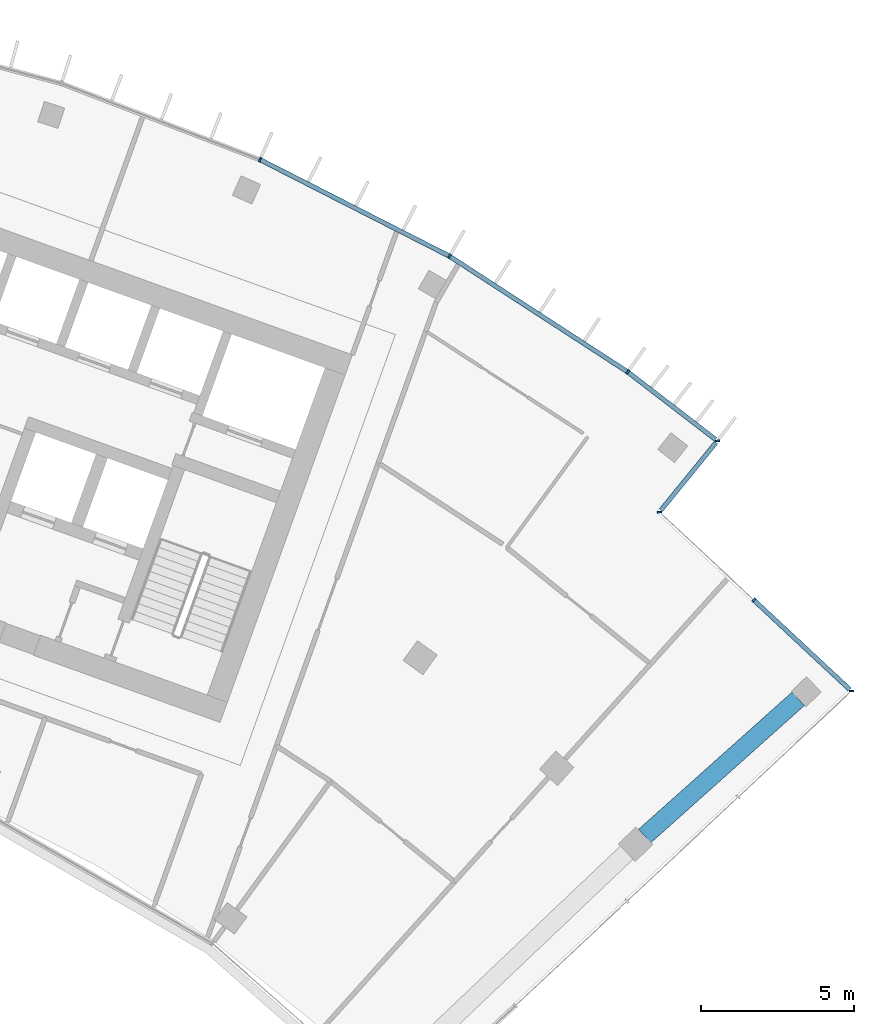
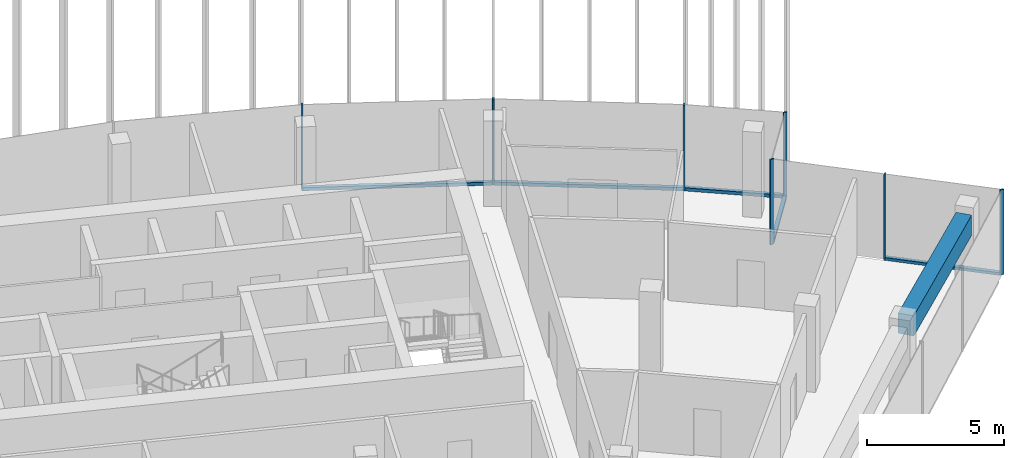
# One storey, part 9 of 18: 12 members, 1 beam, 3 elements without a shape of their own.
"""IFC4 building model written with IfcOpenShell, lengths in metres."""

from ifc_helpers import new_model, si_unit, direction, frame, origin, origin_2d, place, context, subcontext, project, spatial, rectangle, extrude, material, layer, layer_set, material_profile, profile_set, type_object, element, aggregate, save


model = new_model("IFC4")

# Units and contexts
model_context = context("Model", 3, precision=1e-05, world=origin(), true_north=direction((0.0, 1.0)))
body_context = subcontext(model_context, "Body", "Model", "MODEL_VIEW")
ifc_project = project(units=[si_unit("LENGTHUNIT", "METRE"), si_unit("AREAUNIT", "SQUARE_METRE"), si_unit("VOLUMEUNIT", "CUBIC_METRE"), si_unit("PLANEANGLEUNIT", "RADIAN"), si_unit("MASSUNIT", "GRAM", prefix="KILO")], contexts=[model_context])

# Site, building, storey
site_placement = place(None, origin())
site = spatial("IfcSite", under=ifc_project, at=site_placement, CompositionType="ELEMENT")
building_placement = place(site_placement, origin())
building = spatial("IfcBuilding", under=site, at=building_placement, Name="Stone Belt Terrace Tower", CompositionType="ELEMENT")
storey_placement = place(building_placement, frame((0.0, 0.0, 269.39990234375)))
storey = spatial("IfcBuildingStorey", under=building, at=storey_placement, Name="L65", CompositionType="ELEMENT", Elevation=269.39990234375)

# Curtain wall, members
ifc_material_1 = material(Name="Aluminium 6063-T6 anodised frame", Category="aluminium")
ifc_layer_1 = layer(ifc_material_1, 0.14990234375)
ifc_layer_set_1 = layer_set([ifc_layer_1], Name="CW-A unitised convex-face curtain wall")
curtain_wall_type_1 = type_object("IfcCurtainWallType", Name="CW-A unitised convex-face curtain wall", PredefinedType="NOTDEFINED", material=ifc_layer_set_1)
curtain_wall_1_placement = place(storey_placement, origin())
curtain_wall_1 = element("IfcCurtainWall", 1, at=curtain_wall_1_placement, inside=storey, type_object=curtain_wall_type_1, Name="CW-A convex face L65", PredefinedType="NOTDEFINED")
ifc_material_profile_1 = material_profile(ifc_material_1, rectangle(XDim=0.14990234375, YDim=0.06005859375, at=origin_2d()), Name="Aluminium 6063-T6 60x150")
ifc_profile_set_1 = profile_set([ifc_material_profile_1], Name="Aluminium 6063-T6 anodised frame")
member_type_1 = type_object("IfcMemberType", Name="CW-A mullion 60 x 150", PredefinedType="MULLION", material=ifc_profile_set_1)
member_1_placement = place(storey_placement, frame((42.068359375, 51.60205078125, 0.0), z_axis=(0.0, 0.0, 1.0), x_axis=(-0.993258004644, -0.115924700604, 0.0)))
member_1 = element("IfcMember", 2, at=member_1_placement, type_object=member_type_1, Name="CW-A mullion 1", PredefinedType="MULLION", context=body_context, shape_type="SweptSolid", body=[
    extrude(rectangle(XDim=0.14990234375, YDim=0.06005859375, at=origin_2d()), origin(), (0.0, 0.0, 1.0), 3.800048828125),
])
member_2_placement = place(storey_placement, frame((39.131103515625, 53.86083984375, 0.0), z_axis=(0.0, 0.0, 1.0), x_axis=(-0.577587125789, -0.816329046477, 0.0)))
member_2 = element("IfcMember", 3, at=member_2_placement, type_object=member_type_1, Name="CW-A mullion 2", PredefinedType="MULLION", context=body_context, shape_type="SweptSolid", body=[
    extrude(rectangle(XDim=0.14990234375, YDim=0.06005859375, at=origin_2d()), origin(), (0.0, 0.0, 1.0), 3.800048828125),
])
member_3_placement = place(storey_placement, frame((33.28759765625, 57.65576171875, 0.0), z_axis=(0.0, 0.0, 1.0), x_axis=(-0.5, -0.866025403784, 0.0)))
member_3 = element("IfcMember", 4, at=member_3_placement, type_object=member_type_1, Name="CW-A mullion 3", PredefinedType="MULLION", context=body_context, shape_type="SweptSolid", body=[
    extrude(rectangle(XDim=0.14990234375, YDim=0.06005859375, at=origin_2d()), origin(), (0.0, 0.0, 1.0), 3.800048828125),
])
member_4_placement = place(storey_placement, frame((27.07861328125, 60.8193359375, 0.0), z_axis=(0.0, 0.0, 1.0), x_axis=(-0.406736643076, -0.913545457643, 0.0)))
member_4 = element("IfcMember", 5, at=member_4_placement, type_object=member_type_1, Name="CW-A mullion 4", PredefinedType="MULLION", context=body_context, shape_type="SweptSolid", body=[
    extrude(rectangle(XDim=0.14990234375, YDim=0.06005859375, at=origin_2d()), origin(), (0.0, 0.0, 1.0), 3.800048828125),
])
ifc_material_profile_2 = material_profile(ifc_material_1, rectangle(XDim=0.14990234375, YDim=0.139892578125, at=origin_2d()), Name="Aluminium 6063-T6 150x140")
ifc_profile_set_2 = profile_set([ifc_material_profile_2], Name="Aluminium 6063-T6 anodised frame")
member_type_2 = type_object("IfcMemberType", Name="CW-A transom 140 x 150", PredefinedType="USERDEFINED", material=ifc_profile_set_2)
member_5_placement = place(storey_placement, frame((42.00927734375, 51.6474609375, 0.070068359375), z_axis=(-0.79269461464, 0.609618936648, 0.0), x_axis=(-0.609618936648, -0.79269461464, 0.0)))
member_5 = element("IfcMember", 6, at=member_5_placement, type_object=member_type_2, Name="CW-A transom 1.1", ObjectType="TRANSOM", PredefinedType="USERDEFINED", context=body_context, shape_type="SweptSolid", body=[
    extrude(rectangle(XDim=0.14990234375, YDim=0.139892578125, at=origin_2d()), origin(), (0.0, 0.0, 1.0), 3.597900390625),
])
member_6_placement = place(storey_placement, frame((39.103515625, 53.87890625, 0.070068359375), z_axis=(-0.83868440714, 0.544617723931, 0.0), x_axis=(-0.544617723931, -0.83868440714, 0.0)))
member_6 = element("IfcMember", 7, at=member_6_placement, type_object=member_type_2, Name="CW-A transom 2.1", ObjectType="TRANSOM", PredefinedType="USERDEFINED", context=body_context, shape_type="SweptSolid", body=[
    extrude(rectangle(XDim=0.14990234375, YDim=0.139892578125, at=origin_2d()), origin(), (0.0, 0.0, 1.0), 6.90087890625),
])
member_7_placement = place(storey_placement, frame((33.25732421875, 57.671142578125, 0.070068359375), z_axis=(-0.891012226264, 0.453979308613, 0.0), x_axis=(-0.453979308613, -0.891012226264, 0.0)))
member_7 = element("IfcMember", 8, at=member_7_placement, type_object=member_type_2, Name="CW-A transom 3.1", ObjectType="TRANSOM", PredefinedType="USERDEFINED", context=body_context, shape_type="SweptSolid", body=[
    extrude(rectangle(XDim=0.14990234375, YDim=0.139892578125, at=origin_2d()), origin(), (0.0, 0.0, 1.0), 6.90087890625),
])
aggregate(curtain_wall_1, [member_1, member_2, member_3, member_4, member_5, member_6, member_7])

ifc_layer_2 = layer(ifc_material_1, 0.14990234375)
ifc_layer_set_2 = layer_set([ifc_layer_2], Name="CW-C stick curtain wall, horn ends and notches")
curtain_wall_type_2 = type_object("IfcCurtainWallType", Name="CW-C stick curtain wall, horn ends and notches", PredefinedType="NOTDEFINED", material=ifc_layer_set_2)
curtain_wall_2_placement = place(storey_placement, origin())
curtain_wall_2 = element("IfcCurtainWall", 9, at=curtain_wall_2_placement, inside=storey, type_object=curtain_wall_type_2, Name="CW-C notch face L65", PredefinedType="NOTDEFINED")
ifc_material_profile_3 = material_profile(ifc_material_1, rectangle(XDim=0.14990234375, YDim=0.06005859375, at=origin_2d()), Name="Aluminium 6063-T6 60x150")
ifc_profile_set_3 = profile_set([ifc_material_profile_3], Name="Aluminium 6063-T6 anodised frame")
member_type_3 = type_object("IfcMemberType", Name="CW-C mullion 60 x 150", PredefinedType="MULLION", material=ifc_profile_set_3)
member_8_placement = place(storey_placement, frame((46.458740234375, 43.405517578125, 0.0), z_axis=(0.0, 0.0, 1.0), x_axis=(-0.999999447771, -0.00105093149, 0.0)))
member_8 = element("IfcMember", 10, at=member_8_placement, type_object=member_type_3, Name="CW-C mullion 1", PredefinedType="MULLION", context=body_context, shape_type="SweptSolid", body=[
    extrude(rectangle(XDim=0.14990234375, YDim=0.06005859375, at=origin_2d()), origin(), (0.0, 0.0, 1.0), 3.800048828125),
])
member_9_placement = place(storey_placement, frame((43.260009765625, 46.388671875, 0.0), z_axis=(0.0, 0.0, 1.0), x_axis=(-0.682013767261, -0.731339333871, 0.0)))
member_9 = element("IfcMember", 11, at=member_9_placement, type_object=member_type_3, Name="CW-C mullion 2", PredefinedType="MULLION", context=body_context, shape_type="SweptSolid", body=[
    extrude(rectangle(XDim=0.14990234375, YDim=0.06005859375, at=origin_2d()), origin(), (0.0, 0.0, 1.0), 3.800048828125),
])

# Curtain wall, member
curtain_wall_3_placement = place(storey_placement, origin())
curtain_wall_3 = element("IfcCurtainWall", 12, at=curtain_wall_3_placement, inside=storey, type_object=curtain_wall_type_2, Name="CW-C notch face L65", PredefinedType="NOTDEFINED")
member_10_placement = place(storey_placement, frame((40.1708984375, 49.269287109375, 0.0), z_axis=(0.0, 0.0, 1.0), x_axis=(-0.997639702696, -0.068666029474, 0.0)))
member_10 = element("IfcMember", 13, at=member_10_placement, type_object=member_type_3, Name="CW-C mullion 1", PredefinedType="MULLION", context=body_context, shape_type="SweptSolid", body=[
    extrude(rectangle(XDim=0.14990234375, YDim=0.06005859375, at=origin_2d()), origin(), (0.0, 0.0, 1.0), 3.800048828125),
])

# Member
ifc_material_profile_4 = material_profile(ifc_material_1, rectangle(XDim=0.14990234375, YDim=0.1201171875, at=origin_2d()), Name="Aluminium 6063-T6 150x120")
ifc_profile_set_4 = profile_set([ifc_material_profile_4], Name="Aluminium 6063-T6 anodised frame")
member_type_4 = type_object("IfcMemberType", Name="CW-C transom 120 x 150", PredefinedType="USERDEFINED", material=ifc_profile_set_4)
member_11_placement = place(storey_placement, frame((46.40380859375, 43.456787109375, 0.06005859375), z_axis=(-0.731353784958, 0.681998270693, 0.0), x_axis=(-0.681998270693, -0.731353784958, 0.0)))
member_11 = element("IfcMember", 14, at=member_11_placement, type_object=member_type_4, Name="CW-C transom 1.1", ObjectType="TRANSOM", PredefinedType="USERDEFINED", context=body_context, shape_type="SweptSolid", body=[
    extrude(rectangle(XDim=0.14990234375, YDim=0.1201171875, at=origin_2d()), origin(), (0.0, 0.0, 1.0), 4.268798828125),
])

aggregate(curtain_wall_2, [member_8, member_9, member_11])

member_12_placement = place(storey_placement, frame((40.217041015625, 49.325927734375, 0.06005859375), z_axis=(0.631026504781, 0.775761271439, 0.0), x_axis=(-0.775761271439, 0.631026504781, 0.0)))
member_12 = element("IfcMember", 15, at=member_12_placement, type_object=member_type_4, Name="CW-C transom 1.1", ObjectType="TRANSOM", PredefinedType="USERDEFINED", context=body_context, shape_type="SweptSolid", body=[
    extrude(rectangle(XDim=0.14990234375, YDim=0.1201171875, at=origin_2d()), origin(), (0.0, 0.0, 1.0), 2.859130859375),
])

aggregate(curtain_wall_3, [member_10, member_12])

# Beam
ifc_material_2 = material(Name="Concrete B60", Category="concrete")
ifc_material_profile_5 = material_profile(ifc_material_2, rectangle(XDim=0.60009765625, YDim=0.89990234375, at=origin_2d()), Name="RC 600x900")
ifc_profile_set_5 = profile_set([ifc_material_profile_5], Name="Concrete B60")
beam_type = type_object("IfcBeamType", Name="Edge beam RC 600x900 B60", PredefinedType="SPANDREL", material=ifc_profile_set_5)
beam_placement = place(storey_placement, frame((39.68701171875, 38.65380859375, 3.030029296875), z_axis=(0.745651125692, 0.666336550666, 0.0), x_axis=(-0.666336550666, 0.745651125692, 0.0)))
element("IfcBeam", 16, at=beam_placement, inside=storey, type_object=beam_type, Name="Edge beam L65 B Q to R", PredefinedType="SPANDREL", context=body_context, shape_type="SweptSolid", body=[
    extrude(rectangle(XDim=0.60009765625, YDim=0.89990234375, at=origin_2d()), origin(), (0.0, 0.0, 1.0), 6.744140625),
])

save(model, "model.ifc")
